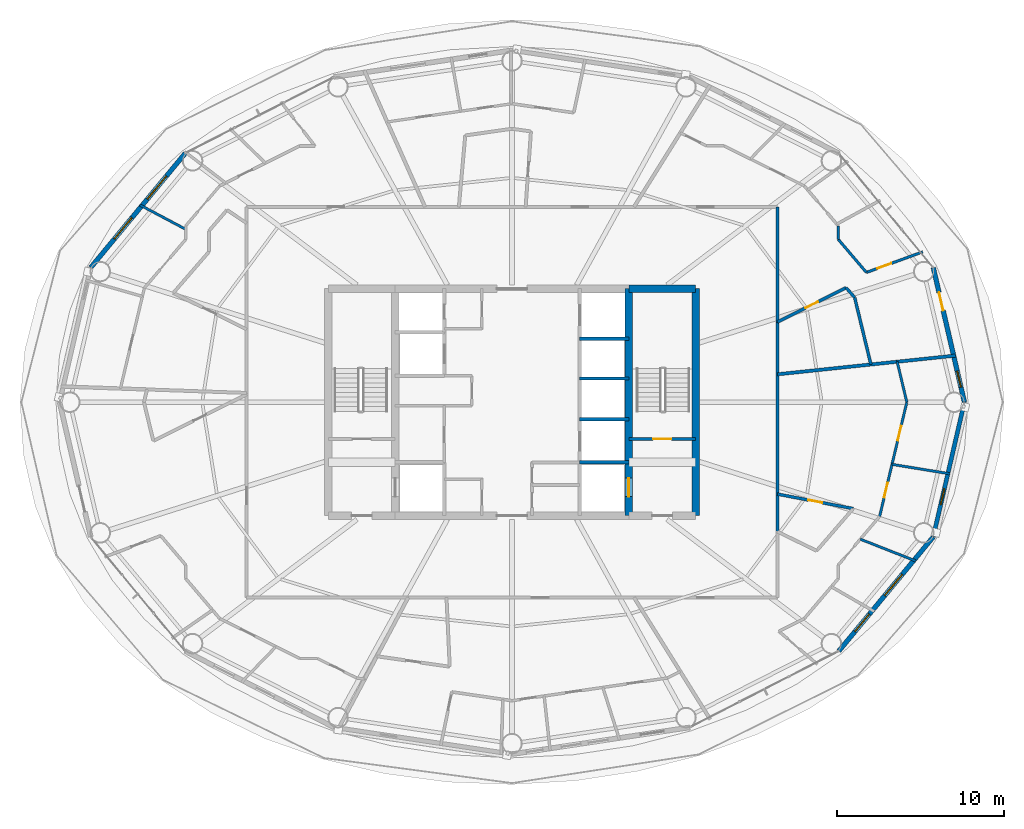
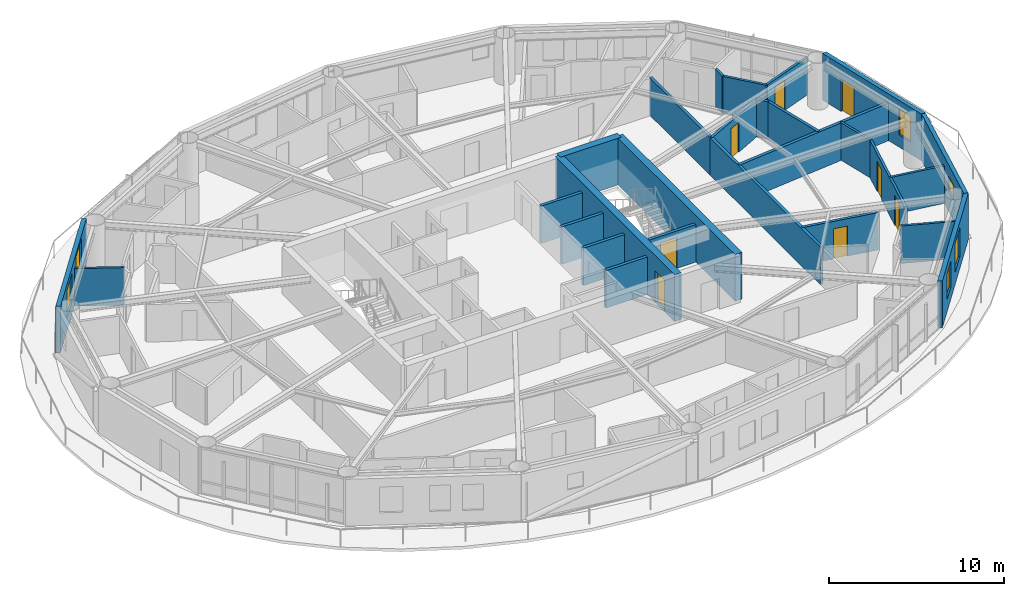
# One storey, part 23 of 28: 28 walls, 8 doors, 6 windows, 14 openings.
"""IFC4 building model written with IfcOpenShell, lengths in metres."""

from ifc_helpers import new_model, si_unit, direction, frame, frame_2d, origin, place, context, subcontext, project, spatial, rectangle, extrude, material, layer, layer_set, type_object, element, fill, save


model = new_model("IFC4")

# Units and contexts
model_context = context("Model", 3, precision=1e-05, world=origin(), true_north=direction((0.0, 1.0)))
body_context = subcontext(model_context, "Body", "Model", "MODEL_VIEW")
ifc_project = project(units=[si_unit("LENGTHUNIT", "METRE"), si_unit("AREAUNIT", "SQUARE_METRE"), si_unit("VOLUMEUNIT", "CUBIC_METRE"), si_unit("PLANEANGLEUNIT", "RADIAN"), si_unit("MASSUNIT", "GRAM", prefix="KILO")], contexts=[model_context])

# Site, building, storey
site_placement = place(None, origin())
site = spatial("IfcSite", under=ifc_project, at=site_placement, CompositionType="ELEMENT")
building_placement = place(site_placement, origin())
building = spatial("IfcBuilding", under=site, at=building_placement, Name="Sarneth Arch Tower", CompositionType="ELEMENT")
storey_placement = place(building_placement, frame((0.0, 0.0, 197.39990234375)))
storey = spatial("IfcBuildingStorey", under=building, at=storey_placement, Name="L50", CompositionType="ELEMENT", Elevation=197.39990234375)

# Walls
ifc_material_1 = material(Name="Concrete C50/60", Category="concrete")
ifc_layer_1 = layer(ifc_material_1, 0.449951171875)
ifc_layer_set_1 = layer_set([ifc_layer_1], Name="Concrete C50/60")
wall_type_1 = type_object("IfcWallType", Name="WALL-CORE-450", PredefinedType="SHEAR", material=ifc_layer_set_1)
wall_1_placement = place(storey_placement, frame((55.0, 48.800048828125, 0.0), z_axis=(0.0, 0.0, 1.0), x_axis=(1.0, 0.0, 0.0)))
element("IfcWall", 1, at=wall_1_placement, inside=storey, type_object=wall_type_1, Name="L50 Core shear wall N-E", PredefinedType="SHEAR", context=body_context, shape_type="SweptSolid", body=[
    extrude(rectangle(XDim=4.0, YDim=0.449951171875, at=frame_2d((2.0, 0.0))), origin(), (0.0, 0.0, 1.0), 3.25),
])
wall_2_placement = place(storey_placement, frame((59.0, 35.199951171875, 0.0), z_axis=(0.0, 0.0, 1.0), x_axis=(0.0, 1.0, 0.0)))
element("IfcWall", 2, at=wall_2_placement, inside=storey, type_object=wall_type_1, Name="L50 Core shear wall E", PredefinedType="SHEAR", context=body_context, shape_type="SweptSolid", body=[
    extrude(rectangle(XDim=13.60009765625, YDim=0.449951171875, at=frame_2d((6.800048828125, 0.0))), origin(), (0.0, 0.0, 1.0), 3.25),
])

# Wall, opening, door
wall_3_placement = place(storey_placement, frame((55.0, 35.199951171875, 0.0), z_axis=(0.0, 0.0, 1.0), x_axis=(0.0, 1.0, 0.0)))
wall_3 = element("IfcWall", 3, at=wall_3_placement, inside=storey, type_object=wall_type_1, Name="L50 Core shear wall WEB-E", PredefinedType="SHEAR", context=body_context, shape_type="SweptSolid", body=[
    extrude(rectangle(XDim=13.60009765625, YDim=0.449951171875, at=frame_2d((6.800048828125, 0.0))), origin(), (0.0, 0.0, 1.0), 3.25),
])
opening_1_placement = place(wall_3_placement, frame((1.14990234375, 0.0, 0.0)))
opening_1 = element("IfcOpeningElement", 4, at=opening_1_placement, cuts=wall_3, Name="Opening LD-1", PredefinedType="OPENING", context=body_context, shape_type="SweptSolid", body=[
    extrude(rectangle(XDim=1.10009765625, YDim=2.199951171875, at=frame_2d((0.550048828125, 1.10009765625))), frame((0.0, 0.23486328125, 0.0), z_axis=(0.0, -1.0, 0.0), x_axis=(1.0, 0.0, 0.0)), (0.0, 0.0, 1.0), 0.469970703125),
])
ifc_material_2 = material(Name="Brushed Stainless Steel 304 lift landing door", Category="steel")
door_type_1 = type_object("IfcDoorType", Name="DR-LIFT-SLIDE-1100", OperationType="SLIDING_TO_LEFT", PredefinedType="DOOR", material=ifc_material_2)
door_1_placement = place(opening_1_placement, origin())
door_1 = element("IfcDoor", 5, at=door_1_placement, inside=storey, type_object=door_type_1, Name="L50 Firefighting lift landing door FL-2", OperationType="SLIDING_TO_RIGHT", OverallHeight=2.199951171875, OverallWidth=1.10009765625, PredefinedType="DOOR", context=body_context, shape_type="SweptSolid", body=[
    extrude(rectangle(XDim=1.10009765625, YDim=2.199951171875, at=frame_2d((0.550048828125, 1.10009765625))), frame((0.0, 0.02490234375, 0.0), z_axis=(0.0, -1.0, 0.0), x_axis=(1.0, 0.0, 0.0)), (0.0, 0.0, 1.0), 0.050048828125),
])
fill(opening_1, door_1)

# Walls
ifc_material_3 = material(Name="Double steel-stud corridor fire wall", Category="steel")
ifc_layer_2 = layer(ifc_material_3, 0.18994140625)
ifc_layer_set_2 = layer_set([ifc_layer_2], Name="Double steel-stud corridor fire wall")
wall_type_2 = type_object("IfcWallType", Name="WALL-CORR-190", PredefinedType="PARTITIONING", material=ifc_layer_set_2)
wall_4_placement = place(storey_placement, frame((63.89990234375, 46.841064453125, 0.0), z_axis=(0.0, 0.0, 1.0), x_axis=(0.0, -1.0, 0.0)))
element("IfcWall", 6, at=wall_4_placement, inside=storey, type_object=wall_type_2, Name="L50 Interior partition W-L50-TP-018", PredefinedType="PARTITIONING", context=body_context, shape_type="SweptSolid", body=[
    extrude(rectangle(XDim=12.631591796875, YDim=0.18994140625, at=frame_2d((6.31591796875, 0.0))), origin(), (0.0, 0.0, 1.0), 2.610107421875),
])
wall_5_placement = place(storey_placement, frame((63.89990234375, 53.699951171875, 0.0), z_axis=(0.0, 0.0, 1.0), x_axis=(0.0, -1.0, 0.0)))
element("IfcWall", 7, at=wall_5_placement, inside=storey, type_object=wall_type_2, Name="L50 Interior partition W-L50-TP-002", PredefinedType="PARTITIONING", context=body_context, shape_type="SweptSolid", body=[
    extrude(rectangle(XDim=6.9306640625, YDim=0.18994140625, at=frame_2d((3.46533203125, 0.0))), origin(), (0.0, 0.0, 1.0), 2.610107421875),
])

# Wall, opening, window
ifc_material_4 = material(Name="Extruded terracotta rainscreen on Concrete C40/50 backing", Category="masonry")
ifc_layer_3 = layer(ifc_material_4, 0.25)
ifc_layer_set_3 = layer_set([ifc_layer_3], Name="Extruded terracotta rainscreen on Concrete C40/50 backing")
wall_type_3 = type_object("IfcWallType", Name="WALL-EXT-SPAND-250", PredefinedType="SOLIDWALL", material=ifc_layer_set_3)
wall_6_placement = place(storey_placement, frame((73.232421875, 33.93310546875, 0.0), z_axis=(0.0, 0.0, 1.0), x_axis=(0.225473184558, 0.974249374157, 0.0)))
wall_6 = element("IfcWall", 8, at=wall_6_placement, inside=storey, type_object=wall_type_3, Name="L50 Terracotta perimeter wall 16", PredefinedType="SOLIDWALL", context=body_context, shape_type="SweptSolid", body=[
    extrude(rectangle(XDim=8.280029296875, YDim=0.25, at=frame_2d((4.14013671875, 0.0))), origin(), (0.0, 0.0, 1.0), 3.25),
])
opening_2_placement = place(wall_6_placement, frame((1.97412109375, 0.0, 1.419921875)))
opening_2 = element("IfcOpeningElement", 9, at=opening_2_placement, cuts=wall_6, Name="Opening W-14", PredefinedType="OPENING", context=body_context, shape_type="SweptSolid", body=[
    extrude(rectangle(XDim=1.0, YDim=1.050048828125, at=frame_2d((0.5, 0.52490234375))), frame((0.0, 0.135009765625, 0.0), z_axis=(0.0, -1.0, 0.0), x_axis=(1.0, 0.0, 0.0)), (0.0, 0.0, 1.0), 0.27001953125),
])
ifc_material_5 = material(Name="Thermally broken Aluminium 6063-T6 and low-e laminated IGU", Category="aluminium")
window_type_1 = type_object("IfcWindowType", Name="WIN-TWR-1000x1050", PartitioningType="SINGLE_PANEL", PredefinedType="WINDOW", material=ifc_material_5)
window_1_placement = place(opening_2_placement, origin())
window_1 = element("IfcWindow", 10, at=window_1_placement, inside=storey, type_object=window_type_1, Name="L50 Dwelling bedroom window 05", OverallHeight=1.050048828125, OverallWidth=1.0, PartitioningType="SINGLE_PANEL", PredefinedType="WINDOW", context=body_context, shape_type="SweptSolid", body=[
    extrude(rectangle(XDim=1.0, YDim=1.050048828125, at=frame_2d((0.5, 0.52490234375))), frame((0.0, 0.030029296875, 0.0), z_axis=(0.0, -1.0, 0.0), x_axis=(1.0, 0.0, 0.0)), (0.0, 0.0, 1.0), 0.06005859375),
])
fill(opening_2, window_1)

# Wall, openings, door, window
ifc_material_6 = material(Name="Extruded terracotta rainscreen on Concrete C40/50 backing", Category="masonry")
ifc_layer_4 = layer(ifc_material_6, 0.280029296875)
ifc_layer_set_4 = layer_set([ifc_layer_4], Name="Extruded terracotta rainscreen on Concrete C40/50 backing")
wall_type_4 = type_object("IfcWallType", Name="WALL-EXT-TERRA-280", PredefinedType="SOLIDWALL", material=ifc_layer_set_4)
wall_7_placement = place(storey_placement, frame((75.099365234375, 42.0, 0.0), z_axis=(0.0, 0.0, 1.0), x_axis=(-0.225473184558, 0.974249374157, 0.0)))
wall_7 = element("IfcWall", 11, at=wall_7_placement, inside=storey, type_object=wall_type_4, Name="L50 Terracotta perimeter wall 01", PredefinedType="SOLIDWALL", context=body_context, shape_type="SweptSolid", body=[
    extrude(rectangle(XDim=8.280029296875, YDim=0.280029296875, at=frame_2d((4.14013671875, 0.0))), origin(), (0.0, 0.0, 1.0), 3.25),
])
opening_3_placement = place(wall_7_placement, frame((5.643798828125, 0.0, 0.0)))
opening_3 = element("IfcOpeningElement", 12, at=opening_3_placement, cuts=wall_7, Name="Opening BD-3", PredefinedType="OPENING", context=body_context, shape_type="SweptSolid", body=[
    extrude(rectangle(XDim=1.10009765625, YDim=2.25, at=frame_2d((0.550048828125, 1.125))), frame((0.0, 0.14990234375, 0.0), z_axis=(0.0, -1.0, 0.0), x_axis=(1.0, 0.0, 0.0)), (0.0, 0.0, 1.0), 0.300048828125),
])
opening_4_placement = place(wall_7_placement, frame((0.918212890625, 0.0, 0.85009765625)))
opening_4 = element("IfcOpeningElement", 13, at=opening_4_placement, cuts=wall_7, Name="Opening W-11", PredefinedType="OPENING", context=body_context, shape_type="SweptSolid", body=[
    extrude(rectangle(XDim=1.0, YDim=1.800048828125, at=frame_2d((0.5, 0.89990234375))), frame((0.0, 0.14990234375, 0.0), z_axis=(0.0, -1.0, 0.0), x_axis=(1.0, 0.0, 0.0)), (0.0, 0.0, 1.0), 0.300048828125),
])
ifc_material_7 = material(Name="Thermally broken Aluminium 6063-T6 and laminated safety glass", Category="aluminium")
door_type_2 = type_object("IfcDoorType", Name="DR-BALC-GLZ-1100", OperationType="SINGLE_SWING_LEFT", PredefinedType="DOOR", material=ifc_material_7)
door_2_placement = place(opening_3_placement, origin())
door_2 = element("IfcDoor", 14, at=door_2_placement, inside=storey, type_object=door_type_2, Name="L50 Balcony glazed door 01", OperationType="SINGLE_SWING_LEFT", OverallHeight=2.25, OverallWidth=1.10009765625, PredefinedType="DOOR", context=body_context, shape_type="SweptSolid", body=[
    extrude(rectangle(XDim=1.10009765625, YDim=2.25, at=frame_2d((0.550048828125, 1.125))), frame((0.0, 0.02490234375, 0.0), z_axis=(0.0, -1.0, 0.0), x_axis=(1.0, 0.0, 0.0)), (0.0, 0.0, 1.0), 0.050048828125),
])
fill(opening_3, door_2)
ifc_material_8 = material(Name="Thermally broken Aluminium 6063-T6 and low-e laminated IGU", Category="aluminium")
window_type_2 = type_object("IfcWindowType", Name="WIN-TWR-1000x1800", PartitioningType="SINGLE_PANEL", PredefinedType="WINDOW", material=ifc_material_8)
window_2_placement = place(opening_4_placement, origin())
window_2 = element("IfcWindow", 15, at=window_2_placement, inside=storey, type_object=window_type_2, Name="L50 Dwelling bedroom window 06", OverallHeight=1.800048828125, OverallWidth=1.0, PartitioningType="SINGLE_PANEL", PredefinedType="WINDOW", context=body_context, shape_type="SweptSolid", body=[
    extrude(rectangle(XDim=1.0, YDim=1.800048828125, at=frame_2d((0.5, 0.89990234375))), frame((0.0, 0.030029296875, 0.0), z_axis=(0.0, -1.0, 0.0), x_axis=(1.0, 0.0, 0.0)), (0.0, 0.0, 1.0), 0.06005859375),
])
fill(opening_4, window_2)

# Wall, openings, windows
wall_8_placement = place(storey_placement, frame((28.423828125, 56.90576171875, 0.0), z_axis=(0.0, 0.0, 1.0), x_axis=(-0.637333477683, -0.770588111915, 0.0)))
wall_8 = element("IfcWall", 16, at=wall_8_placement, inside=storey, type_object=wall_type_4, Name="L50 Terracotta perimeter wall 07", PredefinedType="SOLIDWALL", context=body_context, shape_type="SweptSolid", body=[
    extrude(rectangle(XDim=8.874755859375, YDim=0.280029296875, at=frame_2d((4.4375, 0.0))), origin(), (0.0, 0.0, 1.0), 3.25),
])
opening_5_placement = place(wall_8_placement, frame((1.761474609375, 0.0, 0.85009765625)))
opening_5 = element("IfcOpeningElement", 17, at=opening_5_placement, cuts=wall_8, Name="Opening W-04", PredefinedType="OPENING", context=body_context, shape_type="SweptSolid", body=[
    extrude(rectangle(XDim=1.800048828125, YDim=2.199951171875, at=frame_2d((0.89990234375, 1.10009765625))), frame((0.0, 0.14990234375, 0.0), z_axis=(0.0, -1.0, 0.0), x_axis=(1.0, 0.0, 0.0)), (0.0, 0.0, 1.0), 0.300048828125),
])
opening_6_placement = place(wall_8_placement, frame((5.00439453125, 0.0, 0.85009765625)))
opening_6 = element("IfcOpeningElement", 18, at=opening_6_placement, cuts=wall_8, Name="Opening W-05", PredefinedType="OPENING", context=body_context, shape_type="SweptSolid", body=[
    extrude(rectangle(XDim=1.64990234375, YDim=2.0, at=frame_2d((0.824951171875, 1.0))), frame((0.0, 0.14990234375, 0.0), z_axis=(0.0, -1.0, 0.0), x_axis=(1.0, 0.0, 0.0)), (0.0, 0.0, 1.0), 0.300048828125),
])
ifc_material_9 = material(Name="Thermally broken Aluminium 6063-T6 and low-e laminated IGU", Category="aluminium")
window_type_3 = type_object("IfcWindowType", Name="WIN-TWR-1650x2000", PartitioningType="DOUBLE_PANEL_VERTICAL", PredefinedType="WINDOW", material=ifc_material_9)
window_3_placement = place(opening_6_placement, origin())
window_3 = element("IfcWindow", 19, at=window_3_placement, inside=storey, type_object=window_type_3, Name="L50 Exterior window 07B", OverallHeight=2.0, OverallWidth=1.64990234375, PartitioningType="SINGLE_PANEL", PredefinedType="WINDOW", context=body_context, shape_type="SweptSolid", body=[
    extrude(rectangle(XDim=1.64990234375, YDim=2.0, at=frame_2d((0.824951171875, 1.0))), frame((0.0, 0.030029296875, 0.0), z_axis=(0.0, -1.0, 0.0), x_axis=(1.0, 0.0, 0.0)), (0.0, 0.0, 1.0), 0.06005859375),
])
fill(opening_6, window_3)
ifc_material_10 = material(Name="Thermally broken Aluminium 6063-T6 and low-e laminated IGU", Category="aluminium")
window_type_4 = type_object("IfcWindowType", Name="WIN-TWR-1800x2200", PartitioningType="DOUBLE_PANEL_VERTICAL", PredefinedType="WINDOW", material=ifc_material_10)
window_4_placement = place(opening_5_placement, origin())
window_4 = element("IfcWindow", 20, at=window_4_placement, inside=storey, type_object=window_type_4, Name="L50 Exterior window 07A", OverallHeight=2.199951171875, OverallWidth=1.800048828125, PartitioningType="SINGLE_PANEL", PredefinedType="WINDOW", context=body_context, shape_type="SweptSolid", body=[
    extrude(rectangle(XDim=1.800048828125, YDim=2.199951171875, at=frame_2d((0.89990234375, 1.10009765625))), frame((0.0, 0.030029296875, 0.0), z_axis=(0.0, -1.0, 0.0), x_axis=(1.0, 0.0, 0.0)), (0.0, 0.0, 1.0), 0.06005859375),
])
fill(opening_5, window_4)

wall_9_placement = place(storey_placement, frame((67.576171875, 27.09423828125, 0.0), z_axis=(0.0, 0.0, 1.0), x_axis=(0.637333477683, 0.770588111915, 0.0)))
wall_9 = element("IfcWall", 21, at=wall_9_placement, inside=storey, type_object=wall_type_4, Name="L50 Terracotta perimeter wall 15", PredefinedType="SOLIDWALL", context=body_context, shape_type="SweptSolid", body=[
    extrude(rectangle(XDim=8.874755859375, YDim=0.280029296875, at=frame_2d((4.4375, 0.0))), origin(), (0.0, 0.0, 1.0), 3.25),
])
opening_7_placement = place(wall_9_placement, frame((1.51953125, 0.0, 0.85009765625)))
opening_7 = element("IfcOpeningElement", 22, at=opening_7_placement, cuts=wall_9, Name="Opening W-08", PredefinedType="OPENING", context=body_context, shape_type="SweptSolid", body=[
    extrude(rectangle(XDim=1.35009765625, YDim=1.800048828125, at=frame_2d((0.675048828125, 0.89990234375))), frame((0.0, 0.14990234375, 0.0), z_axis=(0.0, -1.0, 0.0), x_axis=(1.0, 0.0, 0.0)), (0.0, 0.0, 1.0), 0.300048828125),
])
opening_8_placement = place(wall_9_placement, frame((4.311767578125, 0.0, 0.85009765625)))
opening_8 = element("IfcOpeningElement", 23, at=opening_8_placement, cuts=wall_9, Name="Opening W-05", PredefinedType="OPENING", context=body_context, shape_type="SweptSolid", body=[
    extrude(rectangle(XDim=1.64990234375, YDim=2.0, at=frame_2d((0.824951171875, 1.0))), frame((0.0, 0.14990234375, 0.0), z_axis=(0.0, -1.0, 0.0), x_axis=(1.0, 0.0, 0.0)), (0.0, 0.0, 1.0), 0.300048828125),
])
ifc_material_11 = material(Name="Thermally broken Aluminium 6063-T6 and low-e laminated IGU", Category="aluminium")
window_type_5 = type_object("IfcWindowType", Name="WIN-TWR-1350x1800", PartitioningType="SINGLE_PANEL", PredefinedType="WINDOW", material=ifc_material_11)
window_5_placement = place(opening_7_placement, origin())
window_5 = element("IfcWindow", 24, at=window_5_placement, inside=storey, type_object=window_type_5, Name="L50 Exterior window 15A", OverallHeight=1.800048828125, OverallWidth=1.35009765625, PartitioningType="SINGLE_PANEL", PredefinedType="WINDOW", context=body_context, shape_type="SweptSolid", body=[
    extrude(rectangle(XDim=1.35009765625, YDim=1.800048828125, at=frame_2d((0.675048828125, 0.89990234375))), frame((0.0, 0.030029296875, 0.0), z_axis=(0.0, -1.0, 0.0), x_axis=(1.0, 0.0, 0.0)), (0.0, 0.0, 1.0), 0.06005859375),
])
fill(opening_7, window_5)
window_6_placement = place(opening_8_placement, origin())
window_6 = element("IfcWindow", 25, at=window_6_placement, inside=storey, type_object=window_type_3, Name="L50 Exterior window 15B", OverallHeight=2.0, OverallWidth=1.64990234375, PartitioningType="SINGLE_PANEL", PredefinedType="WINDOW", context=body_context, shape_type="SweptSolid", body=[
    extrude(rectangle(XDim=1.64990234375, YDim=2.0, at=frame_2d((0.824951171875, 1.0))), frame((0.0, 0.030029296875, 0.0), z_axis=(0.0, -1.0, 0.0), x_axis=(1.0, 0.0, 0.0)), (0.0, 0.0, 1.0), 0.06005859375),
])
fill(opening_8, window_6)

# Wall, openings, doors
ifc_material_12 = material(Name="Acoustic gypsum stud partition", Category="gypsum")
ifc_layer_5 = layer(ifc_material_12, 0.14990234375)
ifc_layer_set_5 = layer_set([ifc_layer_5], Name="Acoustic gypsum stud partition")
wall_type_5 = type_object("IfcWallType", Name="WALL-PART-150", PredefinedType="PARTITIONING", material=ifc_layer_set_5)
wall_10_placement = place(storey_placement, frame((70.019287109375, 35.15771484375, 0.0), z_axis=(0.0, 0.0, 1.0), x_axis=(0.231658068135, 0.972797275627, 0.0)))
wall_10 = element("IfcWall", 26, at=wall_10_placement, inside=storey, type_object=wall_type_5, Name="L50 Interior partition W-L50-TP-119", PredefinedType="PARTITIONING", context=body_context, shape_type="SweptSolid", body=[
    extrude(rectangle(XDim=7.03369140625, YDim=0.14990234375, at=frame_2d((3.516845703125, 0.0))), origin(), (0.0, 0.0, 1.0), 2.610107421875),
])
opening_9_placement = place(wall_10_placement, frame((4.67041015625, 0.0, 0.0)))
opening_9 = element("IfcOpeningElement", 27, at=opening_9_placement, cuts=wall_10, Name="Opening ID-01", PredefinedType="OPENING", context=body_context, shape_type="SweptSolid", body=[
    extrude(rectangle(XDim=0.89990234375, YDim=2.10009765625, at=frame_2d((0.449951171875, 1.050048828125))), frame((0.0, 0.0849609375, 0.0), z_axis=(0.0, -1.0, 0.0), x_axis=(1.0, 0.0, 0.0)), (0.0, 0.0, 1.0), 0.169921875),
])
opening_10_placement = place(wall_10_placement, frame((1.169677734375, 0.0, 0.0)))
opening_10 = element("IfcOpeningElement", 28, at=opening_10_placement, cuts=wall_10, Name="Opening ID-01", PredefinedType="OPENING", context=body_context, shape_type="SweptSolid", body=[
    extrude(rectangle(XDim=0.89990234375, YDim=2.10009765625, at=frame_2d((0.449951171875, 1.050048828125))), frame((0.0, 0.0849609375, 0.0), z_axis=(0.0, -1.0, 0.0), x_axis=(1.0, 0.0, 0.0)), (0.0, 0.0, 1.0), 0.169921875),
])
ifc_material_13 = material(Name="Engineered hardwood flush door", Category="wood")
door_type_3 = type_object("IfcDoorType", Name="DR-INT-900", OperationType="SINGLE_SWING_LEFT", PredefinedType="DOOR", material=ifc_material_13)
door_3_placement = place(opening_9_placement, origin())
door_3 = element("IfcDoor", 29, at=door_3_placement, inside=storey, type_object=door_type_3, Name="L50 Interior door DR-L50-U6-BED2", OperationType="SINGLE_SWING_LEFT", OverallHeight=2.10009765625, OverallWidth=0.89990234375, PredefinedType="DOOR", context=body_context, shape_type="SweptSolid", body=[
    extrude(rectangle(XDim=0.89990234375, YDim=2.10009765625, at=frame_2d((0.449951171875, 1.050048828125))), frame((0.0, 0.02490234375, 0.0), z_axis=(0.0, -1.0, 0.0), x_axis=(1.0, 0.0, 0.0)), (0.0, 0.0, 1.0), 0.050048828125),
])
fill(opening_9, door_3)
door_4_placement = place(opening_10_placement, origin())
door_4 = element("IfcDoor", 30, at=door_4_placement, inside=storey, type_object=door_type_3, Name="L50 Interior door DR-L50-U6-BED1", OperationType="SINGLE_SWING_LEFT", OverallHeight=2.10009765625, OverallWidth=0.89990234375, PredefinedType="DOOR", context=body_context, shape_type="SweptSolid", body=[
    extrude(rectangle(XDim=0.89990234375, YDim=2.10009765625, at=frame_2d((0.449951171875, 1.050048828125))), frame((0.0, 0.02490234375, 0.0), z_axis=(0.0, -1.0, 0.0), x_axis=(1.0, 0.0, 0.0)), (0.0, 0.0, 1.0), 0.050048828125),
])
fill(opening_10, door_4)

# Walls
wall_11_placement = place(storey_placement, frame((72.186279296875, 32.489501953125, 0.0), z_axis=(0.0, 0.0, 1.0), x_axis=(-0.930633495056, 0.365952589662, 0.0)))
element("IfcWall", 31, at=wall_11_placement, inside=storey, type_object=wall_type_5, Name="L50 Interior partition W-L50-TP-122", PredefinedType="PARTITIONING", context=body_context, shape_type="SweptSolid", body=[
    extrude(rectangle(XDim=3.572509765625, YDim=0.14990234375, at=frame_2d((1.7861328125, 0.0))), origin(), (0.0, 0.0, 1.0), 2.610107421875),
])
wall_12_placement = place(storey_placement, frame((74.2294921875, 37.710693359375, 0.0), z_axis=(0.0, 0.0, 1.0), x_axis=(-0.98689451092, 0.161366738565, 0.0)))
element("IfcWall", 32, at=wall_12_placement, inside=storey, type_object=wall_type_5, Name="L50 Interior partition W-L50-TP-123", PredefinedType="PARTITIONING", context=body_context, shape_type="SweptSolid", body=[
    extrude(rectangle(XDim=3.51318359375, YDim=0.14990234375, at=frame_2d((1.756591796875, 0.0))), origin(), (0.0, 0.0, 1.0), 2.610107421875),
])
wall_13_placement = place(storey_placement, frame((28.449951171875, 52.36181640625, 0.0), z_axis=(0.0, 0.0, 1.0), x_axis=(-0.883567356142, 0.468304096886, 0.0)))
element("IfcWall", 33, at=wall_13_placement, inside=storey, type_object=wall_type_5, Name="L50 Interior partition W-L50-TP-073", PredefinedType="PARTITIONING", context=body_context, shape_type="SweptSolid", body=[
    extrude(rectangle(XDim=3.09765625, YDim=0.14990234375, at=frame_2d((1.548828125, 0.0))), origin(), (0.0, 0.0, 1.0), 2.610107421875),
])
wall_14_placement = place(storey_placement, frame((71.648681640625, 42.0, 0.0), z_axis=(0.0, 0.0, 1.0), x_axis=(-0.231642596653, 0.972800959814, 0.0)))
element("IfcWall", 34, at=wall_14_placement, inside=storey, type_object=wall_type_5, Name="L50 Interior partition W-L50-TP-120", PredefinedType="PARTITIONING", context=body_context, shape_type="SweptSolid", body=[
    extrude(rectangle(XDim=2.49267578125, YDim=0.14990234375, at=frame_2d((1.246337890625, 0.0))), origin(), (0.0, 0.0, 1.0), 2.610107421875),
])

# Wall, opening, door
ifc_material_14 = material(Name="Kitchen wet service chase wall", Category="gypsum")
ifc_layer_6 = layer(ifc_material_14, 0.159912109375)
ifc_layer_set_6 = layer_set([ifc_layer_6], Name="Kitchen wet service chase wall")
wall_type_6 = type_object("IfcWallType", Name="WALL-PLUMB-160", PredefinedType="PLUMBINGWALL", material=ifc_layer_set_6)
wall_15_placement = place(storey_placement, frame((72.6025390625, 51.005859375, 0.0), z_axis=(0.0, 0.0, 1.0), x_axis=(-0.939057046145, -0.343761347572, 0.0)))
wall_15 = element("IfcWall", 35, at=wall_15_placement, inside=storey, type_object=wall_type_6, Name="L50 Interior partition W-L50-TP-020", PredefinedType="PLUMBINGWALL", context=body_context, shape_type="SweptSolid", body=[
    extrude(rectangle(XDim=3.59228515625, YDim=0.159912109375, at=frame_2d((1.796142578125, 0.0))), origin(), (0.0, 0.0, 1.0), 2.610107421875),
])
opening_11_placement = place(wall_15_placement, frame((2.006103515625, 0.0, 0.0)))
opening_11 = element("IfcOpeningElement", 36, at=opening_11_placement, cuts=wall_15, Name="Opening ID-01", PredefinedType="OPENING", context=body_context, shape_type="SweptSolid", body=[
    extrude(rectangle(XDim=0.89990234375, YDim=2.10009765625, at=frame_2d((0.449951171875, 1.050048828125))), frame((0.0, 0.08984375, 0.0), z_axis=(0.0, -1.0, 0.0), x_axis=(1.0, 0.0, 0.0)), (0.0, 0.0, 1.0), 0.179931640625),
])
door_5_placement = place(opening_11_placement, origin())
door_5 = element("IfcDoor", 37, at=door_5_placement, inside=storey, type_object=door_type_3, Name="L50 Interior door DR-L50-U1-KIT", OperationType="SINGLE_SWING_RIGHT", OverallHeight=2.10009765625, OverallWidth=0.89990234375, PredefinedType="DOOR", context=body_context, shape_type="SweptSolid", body=[
    extrude(rectangle(XDim=0.89990234375, YDim=2.10009765625, at=frame_2d((0.449951171875, 1.050048828125))), frame((0.0, 0.02490234375, 0.0), z_axis=(0.0, -1.0, 0.0), x_axis=(1.0, 0.0, 0.0)), (0.0, 0.0, 1.0), 0.050048828125),
])
fill(opening_11, door_5)

# Walls
wall_16_placement = place(storey_placement, frame((69.229248046875, 49.77099609375, 0.0), z_axis=(0.0, 0.0, 1.0), x_axis=(-0.648055845939, 0.761592818076, 0.0)))
element("IfcWall", 38, at=wall_16_placement, inside=storey, type_object=wall_type_6, Name="L50 Interior partition W-L50-TP-021", PredefinedType="PLUMBINGWALL", context=body_context, shape_type="SweptSolid", body=[
    extrude(rectangle(XDim=2.591064453125, YDim=0.159912109375, at=frame_2d((1.29541015625, 0.0))), origin(), (0.0, 0.0, 1.0), 2.610107421875),
])
wall_17_placement = place(storey_placement, frame((67.550048828125, 51.744384765625, 0.0), z_axis=(0.0, 0.0, 1.0), x_axis=(0.0, 1.0, 0.0)))
element("IfcWall", 39, at=wall_17_placement, inside=storey, type_object=wall_type_6, Name="L50 Interior partition W-L50-TP-022", PredefinedType="PLUMBINGWALL", context=body_context, shape_type="SweptSolid", body=[
    extrude(rectangle(XDim=0.812255859375, YDim=0.159912109375, at=frame_2d((0.40625, 0.0))), origin(), (0.0, 0.0, 1.0), 2.610107421875),
])

# Wall, opening, door
ifc_material_15 = material(Name="Moisture-resistant plumbing chase wall", Category="gypsum")
ifc_layer_7 = layer(ifc_material_15, 0.179931640625)
ifc_layer_set_7 = layer_set([ifc_layer_7], Name="Moisture-resistant plumbing chase wall")
wall_type_7 = type_object("IfcWallType", Name="WALL-PLUMB-180", PredefinedType="PLUMBINGWALL", material=ifc_layer_set_7)
wall_18_placement = place(storey_placement, frame((68.434814453125, 35.626220703125, 0.0), z_axis=(0.0, 0.0, 1.0), x_axis=(-0.982105494501, 0.188331616227, 0.0)))
wall_18 = element("IfcWall", 40, at=wall_18_placement, inside=storey, type_object=wall_type_7, Name="L50 Interior partition W-L50-TP-116", PredefinedType="PLUMBINGWALL", context=body_context, shape_type="SweptSolid", body=[
    extrude(rectangle(XDim=4.617431640625, YDim=0.179931640625, at=frame_2d((2.30859375, 0.0))), origin(), (0.0, 0.0, 1.0), 2.610107421875),
])
opening_12_placement = place(wall_18_placement, frame((1.8837890625, 0.0, 0.0)))
opening_12 = element("IfcOpeningElement", 41, at=opening_12_placement, cuts=wall_18, Name="Opening ID-02", PredefinedType="OPENING", context=body_context, shape_type="SweptSolid", body=[
    extrude(rectangle(XDim=0.85009765625, YDim=2.10009765625, at=frame_2d((0.425048828125, 1.050048828125))), frame((0.0, 0.099853515625, 0.0), z_axis=(0.0, -1.0, 0.0), x_axis=(1.0, 0.0, 0.0)), (0.0, 0.0, 1.0), 0.199951171875),
])
ifc_material_16 = material(Name="Moisture-resistant bathroom timber door", Category="wood")
door_type_4 = type_object("IfcDoorType", Name="DR-INT-850", OperationType="SINGLE_SWING_RIGHT", PredefinedType="DOOR", material=ifc_material_16)
door_6_placement = place(opening_12_placement, origin())
door_6 = element("IfcDoor", 42, at=door_6_placement, inside=storey, type_object=door_type_4, Name="L50 Interior door DR-L50-U6-BATH", OperationType="SINGLE_SWING_RIGHT", OverallHeight=2.10009765625, OverallWidth=0.85009765625, PredefinedType="DOOR", context=body_context, shape_type="SweptSolid", body=[
    extrude(rectangle(XDim=0.85009765625, YDim=2.10009765625, at=frame_2d((0.425048828125, 1.050048828125))), frame((0.0, 0.02490234375, 0.0), z_axis=(0.0, -1.0, 0.0), x_axis=(1.0, 0.0, 0.0)), (0.0, 0.0, 1.0), 0.050048828125),
])
fill(opening_12, door_6)

wall_19_placement = place(storey_placement, frame((68.015625, 48.85791015625, 0.0), z_axis=(0.0, 0.0, 1.0), x_axis=(-0.894872643331, -0.446321579377, 0.0)))
wall_19 = element("IfcWall", 43, at=wall_19_placement, inside=storey, type_object=wall_type_7, Name="L50 Interior partition W-L50-TP-026", PredefinedType="PLUMBINGWALL", context=body_context, shape_type="SweptSolid", body=[
    extrude(rectangle(XDim=4.59912109375, YDim=0.179931640625, at=frame_2d((2.299560546875, 0.0))), origin(), (0.0, 0.0, 1.0), 2.610107421875),
])
opening_13_placement = place(wall_19_placement, frame((1.87451171875, 0.0, 0.0)))
opening_13 = element("IfcOpeningElement", 44, at=opening_13_placement, cuts=wall_19, Name="Opening ID-02", PredefinedType="OPENING", context=body_context, shape_type="SweptSolid", body=[
    extrude(rectangle(XDim=0.85009765625, YDim=2.10009765625, at=frame_2d((0.425048828125, 1.050048828125))), frame((0.0, 0.099853515625, 0.0), z_axis=(0.0, -1.0, 0.0), x_axis=(1.0, 0.0, 0.0)), (0.0, 0.0, 1.0), 0.199951171875),
])
door_7_placement = place(opening_13_placement, origin())
door_7 = element("IfcDoor", 45, at=door_7_placement, inside=storey, type_object=door_type_4, Name="L50 Interior door DR-L50-U1-BATH", OperationType="SINGLE_SWING_RIGHT", OverallHeight=2.10009765625, OverallWidth=0.85009765625, PredefinedType="DOOR", context=body_context, shape_type="SweptSolid", body=[
    extrude(rectangle(XDim=0.85009765625, YDim=2.10009765625, at=frame_2d((0.425048828125, 1.050048828125))), frame((0.0, 0.02490234375, 0.0), z_axis=(0.0, -1.0, 0.0), x_axis=(1.0, 0.0, 0.0)), (0.0, 0.0, 1.0), 0.050048828125),
])
fill(opening_13, door_7)

# Walls
wall_20_placement = place(storey_placement, frame((69.49755859375, 44.259521484375, 0.0), z_axis=(0.0, 0.0, 1.0), x_axis=(-0.235510241151, 0.97187186723, 0.0)))
element("IfcWall", 46, at=wall_20_placement, inside=storey, type_object=wall_type_7, Name="L50 Interior partition W-L50-TP-024", PredefinedType="PLUMBINGWALL", context=body_context, shape_type="SweptSolid", body=[
    extrude(rectangle(XDim=4.124755859375, YDim=0.179931640625, at=frame_2d((2.0625, 0.0))), origin(), (0.0, 0.0, 1.0), 2.610107421875),
])
wall_21_placement = place(storey_placement, frame((68.526123046875, 48.268310546875, 0.0), z_axis=(0.0, 0.0, 1.0), x_axis=(-0.654572928685, 0.755998863116, 0.0)))
element("IfcWall", 47, at=wall_21_placement, inside=storey, type_object=wall_type_7, Name="L50 Interior partition W-L50-TP-025", PredefinedType="PLUMBINGWALL", context=body_context, shape_type="SweptSolid", body=[
    extrude(rectangle(XDim=0.77978515625, YDim=0.179931640625, at=frame_2d((0.389892578125, 0.0))), origin(), (0.0, 0.0, 1.0), 2.610107421875),
])

# Wall, opening, door
ifc_material_17 = material(Name="Aerated concrete blockwork C25/30", Category="masonry")
ifc_layer_8 = layer(ifc_material_17, 0.199951171875)
ifc_layer_set_8 = layer_set([ifc_layer_8], Name="Aerated concrete blockwork C25/30")
wall_type_8 = type_object("IfcWallType", Name="WALL-SHAFT-200", PredefinedType="SOLIDWALL", material=ifc_layer_set_8)
wall_22_placement = place(storey_placement, frame((55.0, 39.800048828125, 0.0), z_axis=(0.0, 0.0, 1.0), x_axis=(1.0, 0.0, 0.0)))
wall_22 = element("IfcWall", 48, at=wall_22_placement, inside=storey, type_object=wall_type_8, Name="L50 Interior partition W-L50-ST2-S", PredefinedType="SOLIDWALL", context=body_context, shape_type="SweptSolid", body=[
    extrude(rectangle(XDim=4.0, YDim=0.199951171875, at=frame_2d((2.0, 0.0))), origin(), (0.0, 0.0, 1.0), 2.610107421875),
])
opening_14_placement = place(wall_22_placement, frame((1.449951171875, 0.0, 0.0)))
opening_14 = element("IfcOpeningElement", 49, at=opening_14_placement, cuts=wall_22, Name="Opening FD-03", PredefinedType="OPENING", context=body_context, shape_type="SweptSolid", body=[
    extrude(rectangle(XDim=1.10009765625, YDim=2.14990234375, at=frame_2d((0.550048828125, 1.074951171875))), frame((0.0, 0.10986328125, 0.0), z_axis=(0.0, -1.0, 0.0), x_axis=(1.0, 0.0, 0.0)), (0.0, 0.0, 1.0), 0.219970703125),
])
ifc_material_18 = material(Name="Galvanised Steel S275 fire door set", Category="steel")
door_type_5 = type_object("IfcDoorType", Name="DR-FD90-1100", OperationType="SINGLE_SWING_LEFT", PredefinedType="DOOR", material=ifc_material_18)
door_8_placement = place(opening_14_placement, origin())
door_8 = element("IfcDoor", 50, at=door_8_placement, inside=storey, type_object=door_type_5, Name="L50 Interior door DR-L50-ST2", OperationType="SINGLE_SWING_RIGHT", OverallHeight=2.14990234375, OverallWidth=1.10009765625, PredefinedType="DOOR", context=body_context, shape_type="SweptSolid", body=[
    extrude(rectangle(XDim=1.10009765625, YDim=2.14990234375, at=frame_2d((0.550048828125, 1.074951171875))), frame((0.0, 0.02490234375, 0.0), z_axis=(0.0, -1.0, 0.0), x_axis=(1.0, 0.0, 0.0)), (0.0, 0.0, 1.0), 0.050048828125),
])
fill(opening_14, door_8)

# Walls
for number, where, z_axis, x_axis, name in (
    (51, (52.050048828125, 38.39990234375, 0.0), (0.0, 0.0, 1.0), (1.0, 0.0, 0.0), "L50 Interior partition W-L50-FL2-N"),
    (52, (52.050048828125, 40.97998046875, 0.0), (0.0, 0.0, 1.0), (1.0, 0.0, 0.0), "L50 Interior partition W-L50-EB-DIV-4098"),
    (53, (52.050048828125, 43.419921875, 0.0), (0.0, 0.0, 1.0), (1.0, 0.0, 0.0), "L50 Interior partition W-L50-EB-DIV-4342"),
    (54, (52.050048828125, 45.800048828125, 0.0), (0.0, 0.0, 1.0), (1.0, 0.0, 0.0), "L50 Interior partition W-L50-EB-DIV-4580"),
):
    element("IfcWall", number, at=place(storey_placement, frame(where, z_axis=z_axis, x_axis=x_axis)), inside=storey, type_object=wall_type_8, Name=name, PredefinedType="SOLIDWALL", context=body_context, shape_type="SweptSolid", body=[
        extrude(rectangle(XDim=2.949951171875, YDim=0.199951171875, at=frame_2d((1.47509765625, 0.0))), origin(), (0.0, 0.0, 1.0), 2.610107421875),
    ])
ifc_material_19 = material(Name="Double steel-stud acoustic drywall", Category="steel")
ifc_layer_9 = layer(ifc_material_19, 0.199951171875)
ifc_layer_set_9 = layer_set([ifc_layer_9], Name="Double steel-stud acoustic drywall")
wall_type_9 = type_object("IfcWallType", Name="WALL-UNIT-200", PredefinedType="PARTITIONING", material=ifc_layer_set_9)
wall_23_placement = place(storey_placement, frame((63.89990234375, 43.671142578125, 0.0), z_axis=(0.0, 0.0, 1.0), x_axis=(0.994523063153, 0.104517351942, 0.0)))
element("IfcWall", 55, at=wall_23_placement, inside=storey, type_object=wall_type_9, Name="L50 Interior partition W-L50-TP-037", PredefinedType="PARTITIONING", context=body_context, shape_type="SweptSolid", body=[
    extrude(rectangle(XDim=7.2109375, YDim=0.199951171875, at=frame_2d((3.60546875, 0.0))), origin(), (0.0, 0.0, 1.0), 2.610107421875),
])
wall_24_placement = place(storey_placement, frame((74.5751953125, 44.793212890625, 0.0), z_axis=(0.0, 0.0, 1.0), x_axis=(-0.994516359121, -0.104581123727, 0.0)))
element("IfcWall", 56, at=wall_24_placement, inside=storey, type_object=wall_type_9, Name="L50 Interior partition W-L50-TP-035", PredefinedType="PARTITIONING", context=body_context, shape_type="SweptSolid", body=[
    extrude(rectangle(XDim=3.555419921875, YDim=0.199951171875, at=frame_2d((1.77783203125, 0.0))), origin(), (0.0, 0.0, 1.0), 2.610107421875),
])

save(model, "model.ifc")
